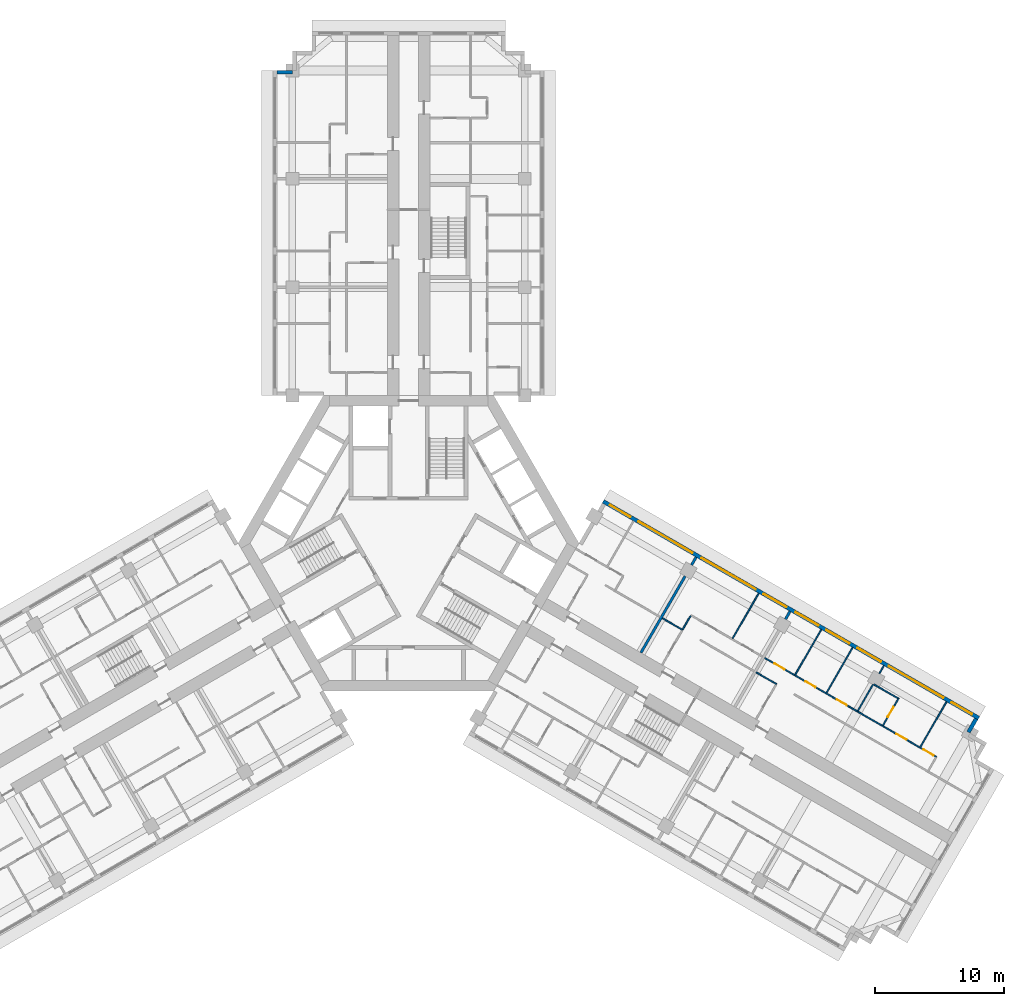
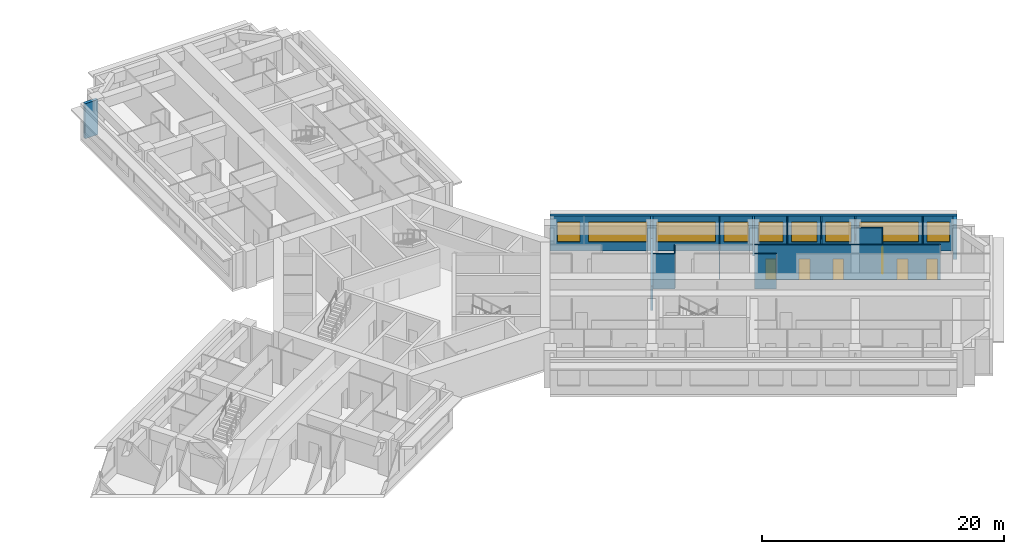
# One storey, part 12 of 14: 18 walls, 9 windows, 6 doors, 15 openings.
"""IFC4 building model written with IfcOpenShell, lengths in metres."""

import ifcopenshell
import ifcopenshell.guid

model = None  # the IFC model being written
_history = None  # IfcOwnerHistory: only IFC2X3 demands one
_inside = {}  # id of a spatial element -> (the spatial element, [elements in it])
_under = {}  # id of a project, library or spatial element -> (it, [spatial elements below it])
_declared = {}  # id of a project -> (the project, [libraries it declares])
_typed = {}  # id of a type object -> (the type object, [elements of that type])
_made_of = {}  # id of a material, layer set ... -> (it, [elements and type objects made of it])


def new_model(schema):
    """Start an empty IFC model of exactly this schema.

    Asked for "IFC4X3", IfcOpenShell would pick the latest addendum, in which some entities
    have other attributes; the version numbers below select the first issue.
    IFC2X3 requires an IfcOwnerHistory on every rooted entity: one is made here for all.
    """
    global model, _history
    if schema == "IFC4X3":
        model = ifcopenshell.file(schema_version=(4, 3, 0, 0))
    else:
        model = ifcopenshell.file(schema=schema)
    _inside.clear()
    _under.clear()
    _declared.clear()
    _typed.clear()
    _made_of.clear()
    _history = None
    if model.schema == "IFC2X3":
        org = make("IfcOrganization", Name="unknown")
        user = make(
            "IfcPersonAndOrganization",
            ThePerson=make("IfcPerson", FamilyName="unknown"),
            TheOrganization=org,
        )
        app = make(
            "IfcApplication",
            ApplicationDeveloper=org,
            Version="unknown",
            ApplicationFullName="unknown",
            ApplicationIdentifier="unknown",
        )
        _history = make(
            "IfcOwnerHistory",
            OwningUser=user,
            OwningApplication=app,
            ChangeAction="ADDED",
            CreationDate=0,
        )
    return model


def make(cls, **values):
    """One entity of the class cls with the attributes given. An attribute that is None is left unset."""
    return model.create_entity(
        cls, **{name: value for name, value in values.items() if value is not None}
    )


def rooted(cls, **values):
    """An entity with a GlobalId (a new one), such as an element, a storey or a relation."""
    return make(cls, GlobalId=ifcopenshell.guid.new(), OwnerHistory=_history, **values)


def si_unit(unit_type, name, prefix=None):
    """IfcSIUnit, for example si_unit("LENGTHUNIT", "METRE", prefix="MILLI")."""
    return make("IfcSIUnit", UnitType=unit_type, Prefix=prefix, Name=name)


def assignment(units):
    """IfcUnitAssignment: the units of a project."""
    return None if units is None else make("IfcUnitAssignment", Units=units)


def point(xyz):
    """IfcCartesianPoint."""
    return None if xyz is None else make("IfcCartesianPoint", Coordinates=xyz)


def direction(xyz):
    """IfcDirection."""
    return None if xyz is None else make("IfcDirection", DirectionRatios=xyz)


def frame(location, z_axis=None, x_axis=None):
    """IfcAxis2Placement3D, a coordinate frame: its origin and axes. An axis left out is left unset."""
    return make(
        "IfcAxis2Placement3D",
        Location=point(location),
        Axis=direction(z_axis),
        RefDirection=direction(x_axis),
    )


def frame_2d(location, x_axis=None):
    """IfcAxis2Placement2D, a coordinate frame in the plane: its origin and x axis."""
    return make(
        "IfcAxis2Placement2D", Location=point(location), RefDirection=direction(x_axis)
    )


def origin():
    """The frame at (0, 0, 0) with its axes left unset."""
    return frame((0.0, 0.0, 0.0))


def place(relative_to, where):
    """IfcLocalPlacement: puts the frame where relative to a parent placement (None: the world)."""
    return make(
        "IfcLocalPlacement", PlacementRelTo=relative_to, RelativePlacement=where
    )


def context(
    kind, dimensions, precision=None, world=None, true_north=None, identifier=None
):
    """IfcGeometricRepresentationContext, for example the 3D "Model" context."""
    return make(
        "IfcGeometricRepresentationContext",
        ContextIdentifier=identifier,
        ContextType=kind,
        CoordinateSpaceDimension=dimensions,
        Precision=precision,
        WorldCoordinateSystem=world,
        TrueNorth=true_north,
    )


def subcontext(parent, identifier, kind, view, scale=None):
    """IfcGeometricRepresentationSubContext, for example "Body" below "Model"."""
    return make(
        "IfcGeometricRepresentationSubContext",
        ContextIdentifier=identifier,
        ContextType=kind,
        ParentContext=parent,
        TargetScale=scale,
        TargetView=view,
    )


def project(units=None, contexts=None):
    """IfcProject with its units and contexts."""
    return rooted(
        "IfcProject",
        Name="project",
        RepresentationContexts=contexts,
        UnitsInContext=assignment(units),
    )


def spatial(cls, under=None, at=None, **own):
    """A site, building, storey or space (cls), placed at a placement, below another one or the project."""
    s = rooted(cls, ObjectPlacement=at, **own)
    if under is not None:
        _under.setdefault(under.id(), (under, []))[1].append(s)
    return s


def profile(cls, at=None, kind="AREA", **sizes):
    """A parametric profile (cls). Its sizes go by their IFC names, for example OverallWidth=200.0."""
    return make(cls, ProfileType=kind, Position=at, **sizes)


def rectangle(**sizes):
    """IfcRectangleProfileDef."""
    return profile("IfcRectangleProfileDef", **sizes)


def extrude(swept, where, along, depth):
    """IfcExtrudedAreaSolid: the profile swept, set in the frame where, extruded along a direction by depth."""
    return make(
        "IfcExtrudedAreaSolid",
        SweptArea=swept,
        Position=where,
        ExtrudedDirection=direction(along),
        Depth=depth,
    )


def shape(context_of_items, identifier, shape_type, items):
    """IfcShapeRepresentation: the items that make up one representation, for example the "Body"."""
    return make(
        "IfcShapeRepresentation",
        ContextOfItems=context_of_items,
        RepresentationIdentifier=identifier,
        RepresentationType=shape_type,
        Items=items,
    )


def material(Name=None, Category=None):
    """IfcMaterial."""
    return make("IfcMaterial", Name=Name, Category=Category)


def layer(
    of_material, thickness, ventilated=None, Name=None, Category=None, Priority=None
):
    """IfcMaterialLayer: one layer of a wall or slab, of a material (None: an air gap)."""
    return make(
        "IfcMaterialLayer",
        Material=of_material,
        LayerThickness=thickness,
        IsVentilated=ventilated,
        Name=Name,
        Category=Category,
        Priority=Priority,
    )


def layer_set(layers, Name=None):
    """IfcMaterialLayerSet."""
    return make("IfcMaterialLayerSet", MaterialLayers=layers, LayerSetName=Name)


def made_of(thing, what):
    """Note that an element or type object is made of a material, layer set ...; save() writes the relation."""
    if what is not None:
        _made_of.setdefault(what.id(), (what, []))[1].append(thing)
    return thing


def type_object(cls, material=None, **own):
    """A type object (cls), such as IfcWallType, which elements share."""
    return made_of(rooted(cls, **own), material)


def element(
    cls,
    number,
    at=None,
    inside=None,
    cuts=None,
    type_object=None,
    material=None,
    context=None,
    identifier="Body",
    shape_type=None,
    held_by="IfcProductDefinitionShape",
    body=None,
    shapes=None,
    **own,
):
    """One element of the class cls, such as IfcWall. Its Tag is "e" and its number.

    at: its placement. inside: the storey or other place that contains it. cuts: it is an
    opening in that element (IfcRelVoidsElement). A single representation is given by context,
    identifier, shape_type and body (its items); several are given by shapes. held_by: the class
    of the entity that holds the representations. save() writes the other relations.
    """
    e = rooted(cls, Tag="e%d" % number, ObjectPlacement=at, **own)
    if body is not None:
        shapes = [shape(context, identifier, shape_type, body)]
    if shapes is not None:
        e.Representation = make(held_by, Representations=shapes)
    if inside is not None:
        _inside.setdefault(inside.id(), (inside, []))[1].append(e)
    if cuts is not None:
        rooted(
            "IfcRelVoidsElement", RelatingBuildingElement=cuts, RelatedOpeningElement=e
        )
    if type_object is not None:
        _typed.setdefault(type_object.id(), (type_object, []))[1].append(e)
    return made_of(e, material)


def fill(opening, filler):
    """IfcRelFillsElement: the door or window that sits in an opening."""
    return rooted(
        "IfcRelFillsElement",
        RelatingOpeningElement=opening,
        RelatedBuildingElement=filler,
    )


def aggregate(whole, parts):
    """IfcRelAggregates: a whole, such as a stair, and the parts it consists of."""
    return rooted("IfcRelAggregates", RelatingObject=whole, RelatedObjects=parts)


def save(model, path):
    """Write the relations noted so far, then the file.

    IfcRelAggregates (storeys below a building ...), IfcRelContainedInSpatialStructure (elements
    in a storey), IfcRelDefinesByType, IfcRelAssociatesMaterial and IfcRelDeclares: one each for
    every whole, place, type object, material and project.
    """
    for whole, parts in _under.values():
        aggregate(whole, parts)
    for where, things in _inside.values():
        rooted(
            "IfcRelContainedInSpatialStructure",
            RelatedElements=things,
            RelatingStructure=where,
        )
    for kind, things in _typed.values():
        rooted("IfcRelDefinesByType", RelatedObjects=things, RelatingType=kind)
    for what, things in _made_of.values():
        rooted("IfcRelAssociatesMaterial", RelatedObjects=things, RelatingMaterial=what)
    for by, libraries in _declared.values():
        rooted("IfcRelDeclares", RelatingContext=by, RelatedDefinitions=libraries)
    model.write(path)


model = new_model("IFC4")

# Units and contexts
model_context = context("Model", 3, precision=1e-05, world=origin(), true_north=direction((0.0, 1.0)))
body_context = subcontext(model_context, "Body", "Model", "MODEL_VIEW")
ifc_project = project(units=[si_unit("LENGTHUNIT", "METRE"), si_unit("AREAUNIT", "SQUARE_METRE"), si_unit("VOLUMEUNIT", "CUBIC_METRE"), si_unit("PLANEANGLEUNIT", "RADIAN"), si_unit("MASSUNIT", "GRAM", prefix="KILO")], contexts=[model_context])

# Site, building, storey
site_placement = place(None, origin())
site = spatial("IfcSite", under=ifc_project, at=site_placement, CompositionType="ELEMENT")
building_placement = place(site_placement, origin())
building = spatial("IfcBuilding", under=site, at=building_placement, Name="Impinga Residences", CompositionType="ELEMENT")
storey_placement = place(building_placement, frame((0.0, 0.0, 124.75)))
storey = spatial("IfcBuildingStorey", under=building, at=storey_placement, Name="L30", CompositionType="ELEMENT", Elevation=124.75)

# Wall
ifc_material_1 = material(Name="Terracotta rainscreen on blockwork", Category="masonry")
ifc_layer_1 = layer(ifc_material_1, 0.300048828125)
ifc_layer_set_1 = layer_set([ifc_layer_1], Name="EW1 external wall, terracotta rainscreen on blockwork 300")
wall_type_1 = type_object("IfcWallType", Name="EW1 external wall, terracotta rainscreen on blockwork 300", PredefinedType="SOLIDWALL", material=ifc_layer_set_1)
wall_1_placement = place(storey_placement, frame((-10.199951171875, 36.4814453125, 0.0), z_axis=(0.0, 0.0, 1.0), x_axis=(1.0, 0.0, 0.0)))
element("IfcWall", 1, at=wall_1_placement, inside=storey, type_object=wall_type_1, Name="External wall EW1 L30", PredefinedType="SOLIDWALL", context=body_context, shape_type="SweptSolid", body=[
    extrude(rectangle(XDim=1.199951171875, YDim=0.300048828125, at=frame_2d((0.60009765625, 0.0))), origin(), (0.0, 0.0, 1.0), 3.530029296875),
])

# Wall, openings, windows
wall_2_placement = place(storey_placement, frame((15.074951171875, 3.24755859375, 0.0), z_axis=(0.0, 0.0, 1.0), x_axis=(0.866024291668, -0.500001926238, 0.0)))
wall_2 = element("IfcWall", 2, at=wall_2_placement, inside=storey, type_object=wall_type_1, Name="External wall EW1 L30", PredefinedType="SOLIDWALL", context=body_context, shape_type="SweptSolid", body=[
    extrude(rectangle(XDim=33.599853515625, YDim=0.300048828125, at=frame_2d((16.7998046875, 0.0))), origin(), (0.0, 0.0, 1.0), 3.530029296875),
])
opening_1_placement = place(wall_2_placement, frame((0.60009765625, 0.0, 0.89990234375)))
opening_1 = element("IfcOpeningElement", 3, at=opening_1_placement, cuts=wall_2, Name="Opening W15", PredefinedType="OPENING", context=body_context, shape_type="SweptSolid", body=[
    extrude(rectangle(XDim=1.85009765625, YDim=2.050048828125, at=frame_2d((0.925048828125, 1.02490234375))), frame((0.0, 0.159912109375, 0.0), z_axis=(0.0, -1.0, 0.0), x_axis=(1.0, 0.0, 0.0)), (0.0, 0.0, 1.0), 0.320068359375),
])
opening_2_placement = place(wall_2_placement, frame((3.14990234375, 0.0, 0.89990234375)))
opening_2 = element("IfcOpeningElement", 4, at=opening_2_placement, cuts=wall_2, Name="Opening W6", PredefinedType="OPENING", context=body_context, shape_type="SweptSolid", body=[
    extrude(rectangle(XDim=4.85009765625, YDim=2.050048828125, at=frame_2d((2.425048828125, 1.02490234375))), frame((0.0, 0.159912109375, 0.0), z_axis=(0.0, -1.0, 0.0), x_axis=(1.0, 0.0, 0.0)), (0.0, 0.0, 1.0), 0.320068359375),
])
opening_3_placement = place(wall_2_placement, frame((8.800048828125, 0.0, 0.89990234375)))
opening_3 = element("IfcOpeningElement", 5, at=opening_3_placement, cuts=wall_2, Name="Opening W6", PredefinedType="OPENING", context=body_context, shape_type="SweptSolid", body=[
    extrude(rectangle(XDim=4.85009765625, YDim=2.050048828125, at=frame_2d((2.425048828125, 1.02490234375))), frame((0.0, 0.159912109375, 0.0), z_axis=(0.0, -1.0, 0.0), x_axis=(1.0, 0.0, 0.0)), (0.0, 0.0, 1.0), 0.320068359375),
])
opening_4_placement = place(wall_2_placement, frame((14.35009765625, 0.0, 0.89990234375)))
opening_4 = element("IfcOpeningElement", 6, at=opening_4_placement, cuts=wall_2, Name="Opening W14", PredefinedType="OPENING", context=body_context, shape_type="SweptSolid", body=[
    extrude(rectangle(XDim=2.050048828125, YDim=2.050048828125, at=frame_2d((1.02490234375, 1.02490234375))), frame((0.0, 0.159912109375, 0.0), z_axis=(0.0, -1.0, 0.0), x_axis=(1.0, 0.0, 0.0)), (0.0, 0.0, 1.0), 0.320068359375),
])
opening_5_placement = place(wall_2_placement, frame((17.199951171875, 0.0, 0.89990234375)))
opening_5 = element("IfcOpeningElement", 7, at=opening_5_placement, cuts=wall_2, Name="Opening W14", PredefinedType="OPENING", context=body_context, shape_type="SweptSolid", body=[
    extrude(rectangle(XDim=2.050048828125, YDim=2.050048828125, at=frame_2d((1.02490234375, 1.02490234375))), frame((0.0, 0.159912109375, 0.0), z_axis=(0.0, -1.0, 0.0), x_axis=(1.0, 0.0, 0.0)), (0.0, 0.0, 1.0), 0.320068359375),
])
opening_6_placement = place(wall_2_placement, frame((19.949951171875, 0.0, 0.89990234375)))
opening_6 = element("IfcOpeningElement", 8, at=opening_6_placement, cuts=wall_2, Name="Opening W9", PredefinedType="OPENING", context=body_context, shape_type="SweptSolid", body=[
    extrude(rectangle(XDim=2.10009765625, YDim=2.050048828125, at=frame_2d((1.050048828125, 1.02490234375))), frame((0.0, 0.159912109375, 0.0), z_axis=(0.0, -1.0, 0.0), x_axis=(1.0, 0.0, 0.0)), (0.0, 0.0, 1.0), 0.320068359375),
])
opening_7_placement = place(wall_2_placement, frame((22.75, 0.0, 0.89990234375)))
opening_7 = element("IfcOpeningElement", 9, at=opening_7_placement, cuts=wall_2, Name="Opening W9", PredefinedType="OPENING", context=body_context, shape_type="SweptSolid", body=[
    extrude(rectangle(XDim=2.10009765625, YDim=2.050048828125, at=frame_2d((1.050048828125, 1.02490234375))), frame((0.0, 0.159912109375, 0.0), z_axis=(0.0, -1.0, 0.0), x_axis=(1.0, 0.0, 0.0)), (0.0, 0.0, 1.0), 0.320068359375),
])
opening_8_placement = place(wall_2_placement, frame((25.550048828125, 0.0, 0.89990234375)))
opening_8 = element("IfcOpeningElement", 10, at=opening_8_placement, cuts=wall_2, Name="Opening W16", PredefinedType="OPENING", context=body_context, shape_type="SweptSolid", body=[
    extrude(rectangle(XDim=4.89990234375, YDim=2.050048828125, at=frame_2d((2.449951171875, 1.02490234375))), frame((0.0, 0.159912109375, 0.0), z_axis=(0.0, -1.0, 0.0), x_axis=(1.0, 0.0, 0.0)), (0.0, 0.0, 1.0), 0.320068359375),
])
opening_9_placement = place(wall_2_placement, frame((31.14990234375, 0.0, 0.89990234375)))
opening_9 = element("IfcOpeningElement", 11, at=opening_9_placement, cuts=wall_2, Name="Opening W15", PredefinedType="OPENING", context=body_context, shape_type="SweptSolid", body=[
    extrude(rectangle(XDim=1.85009765625, YDim=2.050048828125, at=frame_2d((0.925048828125, 1.02490234375))), frame((0.0, 0.159912109375, 0.0), z_axis=(0.0, -1.0, 0.0), x_axis=(1.0, 0.0, 0.0)), (0.0, 0.0, 1.0), 0.320068359375),
])
ifc_material_2 = material(Name="Aluminium window, clear double glazing", Category="aluminium")
window_type_1 = type_object("IfcWindowType", Name="W14 ribbon window 2050x2050", PartitioningType="SINGLE_PANEL", PredefinedType="WINDOW", material=ifc_material_2)
window_1_placement = place(opening_4_placement, origin())
window_1 = element("IfcWindow", 12, at=window_1_placement, inside=storey, type_object=window_type_1, Name="Window L30", OverallHeight=2.050048828125, OverallWidth=2.050048828125, PartitioningType="SINGLE_PANEL", PredefinedType="WINDOW", context=body_context, shape_type="SweptSolid", body=[
    extrude(rectangle(XDim=2.050048828125, YDim=2.050048828125, at=frame_2d((1.02490234375, 1.02490234375))), frame((0.0, 0.030029296875, 0.0), z_axis=(0.0, -1.0, 0.0), x_axis=(1.0, 0.0, 0.0)), (0.0, 0.0, 1.0), 0.06005859375),
])
fill(opening_4, window_1)
window_2_placement = place(opening_5_placement, origin())
window_2 = element("IfcWindow", 13, at=window_2_placement, inside=storey, type_object=window_type_1, Name="Window L30", OverallHeight=2.050048828125, OverallWidth=2.050048828125, PartitioningType="SINGLE_PANEL", PredefinedType="WINDOW", context=body_context, shape_type="SweptSolid", body=[
    extrude(rectangle(XDim=2.050048828125, YDim=2.050048828125, at=frame_2d((1.02490234375, 1.02490234375))), frame((0.0, 0.030029296875, 0.0), z_axis=(0.0, -1.0, 0.0), x_axis=(1.0, 0.0, 0.0)), (0.0, 0.0, 1.0), 0.06005859375),
])
fill(opening_5, window_2)
window_type_2 = type_object("IfcWindowType", Name="W15 ribbon window 1850x2050", PartitioningType="SINGLE_PANEL", PredefinedType="WINDOW", material=ifc_material_2)
window_3_placement = place(opening_1_placement, origin())
window_3 = element("IfcWindow", 14, at=window_3_placement, inside=storey, type_object=window_type_2, Name="Window L30", OverallHeight=2.050048828125, OverallWidth=1.85009765625, PartitioningType="SINGLE_PANEL", PredefinedType="WINDOW", context=body_context, shape_type="SweptSolid", body=[
    extrude(rectangle(XDim=1.85009765625, YDim=2.050048828125, at=frame_2d((0.925048828125, 1.02490234375))), frame((0.0, 0.030029296875, 0.0), z_axis=(0.0, -1.0, 0.0), x_axis=(1.0, 0.0, 0.0)), (0.0, 0.0, 1.0), 0.06005859375),
])
fill(opening_1, window_3)
window_4_placement = place(opening_9_placement, origin())
window_4 = element("IfcWindow", 15, at=window_4_placement, inside=storey, type_object=window_type_2, Name="Window L30", OverallHeight=2.050048828125, OverallWidth=1.85009765625, PartitioningType="SINGLE_PANEL", PredefinedType="WINDOW", context=body_context, shape_type="SweptSolid", body=[
    extrude(rectangle(XDim=1.85009765625, YDim=2.050048828125, at=frame_2d((0.925048828125, 1.02490234375))), frame((0.0, 0.030029296875, 0.0), z_axis=(0.0, -1.0, 0.0), x_axis=(1.0, 0.0, 0.0)), (0.0, 0.0, 1.0), 0.06005859375),
])
fill(opening_9, window_4)
window_type_3 = type_object("IfcWindowType", Name="W16 ribbon window 4900x2050", PartitioningType="SINGLE_PANEL", PredefinedType="WINDOW", material=ifc_material_2)
window_5_placement = place(opening_8_placement, origin())
window_5 = element("IfcWindow", 16, at=window_5_placement, inside=storey, type_object=window_type_3, Name="Window L30", OverallHeight=2.050048828125, OverallWidth=4.89990234375, PartitioningType="SINGLE_PANEL", PredefinedType="WINDOW", context=body_context, shape_type="SweptSolid", body=[
    extrude(rectangle(XDim=4.89990234375, YDim=2.050048828125, at=frame_2d((2.449951171875, 1.02490234375))), frame((0.0, 0.030029296875, 0.0), z_axis=(0.0, -1.0, 0.0), x_axis=(1.0, 0.0, 0.0)), (0.0, 0.0, 1.0), 0.06005859375),
])
fill(opening_8, window_5)
window_type_4 = type_object("IfcWindowType", Name="W6 ribbon window 4850x2050", PartitioningType="SINGLE_PANEL", PredefinedType="WINDOW", material=ifc_material_2)
window_6_placement = place(opening_2_placement, origin())
window_6 = element("IfcWindow", 17, at=window_6_placement, inside=storey, type_object=window_type_4, Name="Window L30", OverallHeight=2.050048828125, OverallWidth=4.85009765625, PartitioningType="SINGLE_PANEL", PredefinedType="WINDOW", context=body_context, shape_type="SweptSolid", body=[
    extrude(rectangle(XDim=4.85009765625, YDim=2.050048828125, at=frame_2d((2.425048828125, 1.02490234375))), frame((0.0, 0.030029296875, 0.0), z_axis=(0.0, -1.0, 0.0), x_axis=(1.0, 0.0, 0.0)), (0.0, 0.0, 1.0), 0.06005859375),
])
fill(opening_2, window_6)
window_7_placement = place(opening_3_placement, origin())
window_7 = element("IfcWindow", 18, at=window_7_placement, inside=storey, type_object=window_type_4, Name="Window L30", OverallHeight=2.050048828125, OverallWidth=4.85009765625, PartitioningType="SINGLE_PANEL", PredefinedType="WINDOW", context=body_context, shape_type="SweptSolid", body=[
    extrude(rectangle(XDim=4.85009765625, YDim=2.050048828125, at=frame_2d((2.425048828125, 1.02490234375))), frame((0.0, 0.030029296875, 0.0), z_axis=(0.0, -1.0, 0.0), x_axis=(1.0, 0.0, 0.0)), (0.0, 0.0, 1.0), 0.06005859375),
])
fill(opening_3, window_7)
window_type_5 = type_object("IfcWindowType", Name="W9 ribbon window 2100x2050", PartitioningType="SINGLE_PANEL", PredefinedType="WINDOW", material=ifc_material_2)
window_8_placement = place(opening_6_placement, origin())
window_8 = element("IfcWindow", 19, at=window_8_placement, inside=storey, type_object=window_type_5, Name="Window L30", OverallHeight=2.050048828125, OverallWidth=2.10009765625, PartitioningType="SINGLE_PANEL", PredefinedType="WINDOW", context=body_context, shape_type="SweptSolid", body=[
    extrude(rectangle(XDim=2.10009765625, YDim=2.050048828125, at=frame_2d((1.050048828125, 1.02490234375))), frame((0.0, 0.030029296875, 0.0), z_axis=(0.0, -1.0, 0.0), x_axis=(1.0, 0.0, 0.0)), (0.0, 0.0, 1.0), 0.06005859375),
])
fill(opening_6, window_8)
window_9_placement = place(opening_7_placement, origin())
window_9 = element("IfcWindow", 20, at=window_9_placement, inside=storey, type_object=window_type_5, Name="Window L30", OverallHeight=2.050048828125, OverallWidth=2.10009765625, PartitioningType="SINGLE_PANEL", PredefinedType="WINDOW", context=body_context, shape_type="SweptSolid", body=[
    extrude(rectangle(XDim=2.10009765625, YDim=2.050048828125, at=frame_2d((1.050048828125, 1.02490234375))), frame((0.0, 0.030029296875, 0.0), z_axis=(0.0, -1.0, 0.0), x_axis=(1.0, 0.0, 0.0)), (0.0, 0.0, 1.0), 0.06005859375),
])
fill(opening_7, window_9)

# Walls
wall_3_placement = place(storey_placement, frame((43.968505859375, -13.607421875, 0.0), z_axis=(0.0, 0.0, 1.0), x_axis=(-0.500029051137, -0.866008630453, 0.0)))
element("IfcWall", 21, at=wall_3_placement, inside=storey, type_object=wall_type_1, Name="External wall EW1 L30", PredefinedType="SOLIDWALL", context=body_context, shape_type="SweptSolid", body=[
    extrude(rectangle(XDim=1.19482421875, YDim=0.300048828125, at=frame_2d((0.597412109375, 0.0))), origin(), (0.0, 0.0, 1.0), 3.530029296875),
])
ifc_material_3 = material(Name="Gypsum board on steel studs", Category="steel")
ifc_layer_2 = layer(ifc_material_3, 0.10009765625)
ifc_layer_set_2 = layer_set([ifc_layer_2], Name="Gypsum board on steel studs")
wall_type_2 = type_object("IfcWallType", Name="IP1 partition 100", PredefinedType="PARTITIONING", material=ifc_layer_set_2)
wall_4_placement = place(storey_placement, frame((19.6611328125, -5.808837890625, 0.0), z_axis=(0.0, 0.0, 1.0), x_axis=(0.866047807691, -0.499961193289, 0.0)))
element("IfcWall", 22, at=wall_4_placement, inside=storey, type_object=wall_type_2, Name="Partition L30-EA2:DIV0", PredefinedType="PARTITIONING", context=body_context, shape_type="SweptSolid", body=[
    extrude(rectangle(XDim=1.800048828125, YDim=0.10009765625, at=frame_2d((0.89990234375, 0.0))), origin(), (0.0, 0.0, 1.0), 3.530029296875),
])
wall_5_placement = place(storey_placement, frame((21.2451171875, -6.66552734375, 0.0), z_axis=(0.0, 0.0, 1.0), x_axis=(0.499880961361, 0.866094119867, 0.0)))
element("IfcWall", 23, at=wall_5_placement, inside=storey, type_object=wall_type_2, Name="Partition L30-EA2:SE0", PredefinedType="PARTITIONING", context=body_context, shape_type="SweptSolid", body=[
    extrude(rectangle(XDim=1.199951171875, YDim=0.10009765625, at=frame_2d((0.60009765625, 0.0))), origin(), (0.0, 0.0, 1.0), 3.530029296875),
])
wall_6_placement = place(storey_placement, frame((25.099365234375, -7.3896484375, 0.0), z_axis=(0.0, 0.0, 1.0), x_axis=(0.499990325971, 0.866030989016, 0.0)))
element("IfcWall", 24, at=wall_6_placement, inside=storey, type_object=wall_type_2, Name="Partition L30-EA2:OB1", PredefinedType="PARTITIONING", context=body_context, shape_type="SweptSolid", body=[
    extrude(rectangle(XDim=4.0498046875, YDim=0.10009765625, at=frame_2d((2.02490234375, 0.0))), origin(), (0.0, 0.0, 1.0), 3.530029296875),
])
wall_7_placement = place(storey_placement, frame((26.935791015625, -10.0087890625, 0.0), z_axis=(0.0, 0.0, 1.0), x_axis=(0.865989075817, -0.500062916607, 0.0)))
element("IfcWall", 25, at=wall_7_placement, inside=storey, type_object=wall_type_2, Name="Partition L30-EA3:DIV0", PredefinedType="PARTITIONING", context=body_context, shape_type="SweptSolid", body=[
    extrude(rectangle(XDim=1.800048828125, YDim=0.10009765625, at=frame_2d((0.89990234375, 0.0))), origin(), (0.0, 0.0, 1.0), 3.530029296875),
])

# Wall, openings, doors
wall_8_placement = place(storey_placement, frame((27.5859375, -8.883056640625, 0.0), z_axis=(0.0, 0.0, 1.0), x_axis=(0.866023490266, -0.500003314297, 0.0)))
wall_8 = element("IfcWall", 26, at=wall_8_placement, inside=storey, type_object=wall_type_2, Name="Partition L30-EA3:STRIP", PredefinedType="PARTITIONING", context=body_context, shape_type="SweptSolid", body=[
    extrude(rectangle(XDim=15.35009765625, YDim=0.10009765625, at=frame_2d((7.675048828125, 0.0))), origin(), (0.0, 0.0, 1.0), 3.530029296875),
])
opening_10_placement = place(wall_8_placement, frame((0.875, 0.0, 0.0)))
opening_10 = element("IfcOpeningElement", 27, at=opening_10_placement, cuts=wall_8, Name="Opening D2", PredefinedType="OPENING", context=body_context, shape_type="SweptSolid", body=[
    extrude(rectangle(XDim=0.89990234375, YDim=2.10009765625, at=frame_2d((0.449951171875, 1.050048828125))), frame((0.0, 0.06005859375, 0.0), z_axis=(0.0, -1.0, 0.0), x_axis=(1.0, 0.0, 0.0)), (0.0, 0.0, 1.0), 0.1201171875),
])
opening_11_placement = place(wall_8_placement, frame((3.64990234375, 0.0, 0.0)))
opening_11 = element("IfcOpeningElement", 28, at=opening_11_placement, cuts=wall_8, Name="Opening D2", PredefinedType="OPENING", context=body_context, shape_type="SweptSolid", body=[
    extrude(rectangle(XDim=0.89990234375, YDim=2.10009765625, at=frame_2d((0.449951171875, 1.050048828125))), frame((0.0, 0.06005859375, 0.0), z_axis=(0.0, -1.0, 0.0), x_axis=(1.0, 0.0, 0.0)), (0.0, 0.0, 1.0), 0.1201171875),
])
opening_12_placement = place(wall_8_placement, frame((6.449951171875, 0.0, 0.0)))
opening_12 = element("IfcOpeningElement", 29, at=opening_12_placement, cuts=wall_8, Name="Opening D2", PredefinedType="OPENING", context=body_context, shape_type="SweptSolid", body=[
    extrude(rectangle(XDim=0.89990234375, YDim=2.10009765625, at=frame_2d((0.449951171875, 1.050048828125))), frame((0.0, 0.06005859375, 0.0), z_axis=(0.0, -1.0, 0.0), x_axis=(1.0, 0.0, 0.0)), (0.0, 0.0, 1.0), 0.1201171875),
])
opening_13_placement = place(wall_8_placement, frame((11.77490234375, 0.0, 0.0)))
opening_13 = element("IfcOpeningElement", 30, at=opening_13_placement, cuts=wall_8, Name="Opening D2", PredefinedType="OPENING", context=body_context, shape_type="SweptSolid", body=[
    extrude(rectangle(XDim=0.89990234375, YDim=2.10009765625, at=frame_2d((0.449951171875, 1.050048828125))), frame((0.0, 0.06005859375, 0.0), z_axis=(0.0, -1.0, 0.0), x_axis=(1.0, 0.0, 0.0)), (0.0, 0.0, 1.0), 0.1201171875),
])
opening_14_placement = place(wall_8_placement, frame((14.199951171875, 0.0, 0.0)))
opening_14 = element("IfcOpeningElement", 31, at=opening_14_placement, cuts=wall_8, Name="Opening D2", PredefinedType="OPENING", context=body_context, shape_type="SweptSolid", body=[
    extrude(rectangle(XDim=0.89990234375, YDim=2.10009765625, at=frame_2d((0.449951171875, 1.050048828125))), frame((0.0, 0.06005859375, 0.0), z_axis=(0.0, -1.0, 0.0), x_axis=(1.0, 0.0, 0.0)), (0.0, 0.0, 1.0), 0.1201171875),
])
ifc_material_4 = material(Name="Timber door set", Category="wood")
door_type = type_object("IfcDoorType", Name="D2 internal door 900x2100", OperationType="SINGLE_SWING_LEFT", PredefinedType="DOOR", material=ifc_material_4)
door_1_placement = place(opening_10_placement, origin())
door_1 = element("IfcDoor", 32, at=door_1_placement, inside=storey, type_object=door_type, Name="Apartment L30-EA3 room door", OperationType="SINGLE_SWING_LEFT", OverallHeight=2.10009765625, OverallWidth=0.89990234375, PredefinedType="DOOR", context=body_context, shape_type="SweptSolid", body=[
    extrude(rectangle(XDim=0.89990234375, YDim=2.10009765625, at=frame_2d((0.449951171875, 1.050048828125))), frame((0.0, 0.02490234375, 0.0), z_axis=(0.0, -1.0, 0.0), x_axis=(1.0, 0.0, 0.0)), (0.0, 0.0, 1.0), 0.050048828125),
])
fill(opening_10, door_1)
door_2_placement = place(opening_11_placement, origin())
door_2 = element("IfcDoor", 33, at=door_2_placement, inside=storey, type_object=door_type, Name="Apartment L30-EA3 room door", OperationType="SINGLE_SWING_LEFT", OverallHeight=2.10009765625, OverallWidth=0.89990234375, PredefinedType="DOOR", context=body_context, shape_type="SweptSolid", body=[
    extrude(rectangle(XDim=0.89990234375, YDim=2.10009765625, at=frame_2d((0.449951171875, 1.050048828125))), frame((0.0, 0.02490234375, 0.0), z_axis=(0.0, -1.0, 0.0), x_axis=(1.0, 0.0, 0.0)), (0.0, 0.0, 1.0), 0.050048828125),
])
fill(opening_11, door_2)
door_3_placement = place(opening_12_placement, origin())
door_3 = element("IfcDoor", 34, at=door_3_placement, inside=storey, type_object=door_type, Name="Apartment L30-EA3 room door", OperationType="SINGLE_SWING_LEFT", OverallHeight=2.10009765625, OverallWidth=0.89990234375, PredefinedType="DOOR", context=body_context, shape_type="SweptSolid", body=[
    extrude(rectangle(XDim=0.89990234375, YDim=2.10009765625, at=frame_2d((0.449951171875, 1.050048828125))), frame((0.0, 0.02490234375, 0.0), z_axis=(0.0, -1.0, 0.0), x_axis=(1.0, 0.0, 0.0)), (0.0, 0.0, 1.0), 0.050048828125),
])
fill(opening_12, door_3)
door_4_placement = place(opening_13_placement, origin())
door_4 = element("IfcDoor", 35, at=door_4_placement, inside=storey, type_object=door_type, Name="Apartment L30-EA3 room door", OperationType="SINGLE_SWING_RIGHT", OverallHeight=2.10009765625, OverallWidth=0.89990234375, PredefinedType="DOOR", context=body_context, shape_type="SweptSolid", body=[
    extrude(rectangle(XDim=0.89990234375, YDim=2.10009765625, at=frame_2d((0.449951171875, 1.050048828125))), frame((0.0, 0.02490234375, 0.0), z_axis=(0.0, -1.0, 0.0), x_axis=(1.0, 0.0, 0.0)), (0.0, 0.0, 1.0), 0.050048828125),
])
fill(opening_13, door_4)
door_5_placement = place(opening_14_placement, origin())
door_5 = element("IfcDoor", 36, at=door_5_placement, inside=storey, type_object=door_type, Name="Apartment L30-EA3 room door", OperationType="SINGLE_SWING_RIGHT", OverallHeight=2.10009765625, OverallWidth=0.89990234375, PredefinedType="DOOR", context=body_context, shape_type="SweptSolid", body=[
    extrude(rectangle(XDim=0.89990234375, YDim=2.10009765625, at=frame_2d((0.449951171875, 1.050048828125))), frame((0.0, 0.02490234375, 0.0), z_axis=(0.0, -1.0, 0.0), x_axis=(1.0, 0.0, 0.0)), (0.0, 0.0, 1.0), 0.050048828125),
])
fill(opening_14, door_5)

# Walls
for number, where, z_axis, x_axis, name in (
    (37, (29.94921875, -10.189697265625, 0.0), (0.0, 0.0, 1.0), (0.499990325971, 0.866030989016, 0.0), "Partition L30-EA3:OB1"),
    (38, (32.3740234375, -11.589599609375, 0.0), (0.0, 0.0, 1.0), (0.499990325971, 0.866030989016, 0.0), "Partition L30-EA3:OB2"),
):
    element("IfcWall", number, at=place(storey_placement, frame(where, z_axis=z_axis, x_axis=x_axis)), inside=storey, type_object=wall_type_2, Name=name, PredefinedType="PARTITIONING", context=body_context, shape_type="SweptSolid", body=[
        extrude(rectangle(XDim=4.0498046875, YDim=0.10009765625, at=frame_2d((2.02490234375, 0.0))), origin(), (0.0, 0.0, 1.0), 3.530029296875),
    ])
wall_9_placement = place(storey_placement, frame((34.798828125, -12.98974609375, 0.0), z_axis=(0.0, 0.0, 1.0), x_axis=(0.500016218704, 0.866016039709, 0.0)))
element("IfcWall", 39, at=wall_9_placement, inside=storey, type_object=wall_type_2, Name="Partition L30-EA3:OB3", PredefinedType="PARTITIONING", context=body_context, shape_type="SweptSolid", body=[
    extrude(rectangle(XDim=2.35009765625, YDim=0.10009765625, at=frame_2d((1.175048828125, 0.0))), origin(), (0.0, 0.0, 1.0), 2.47998046875),
])
wall_10_placement = place(storey_placement, frame((36.473876953125, -10.088623046875, 0.0), z_axis=(0.0, 0.0, 1.0), x_axis=(0.499853302173, 0.866110083249, 0.0)))
element("IfcWall", 40, at=wall_10_placement, inside=storey, type_object=wall_type_2, Name="Partition L30-EA3:OB3b", PredefinedType="PARTITIONING", context=body_context, shape_type="SweptSolid", body=[
    extrude(rectangle(XDim=0.699951171875, YDim=0.10009765625, at=frame_2d((0.35009765625, 0.0))), origin(), (0.0, 0.0, 1.0), 3.530029296875),
])
wall_11_placement = place(storey_placement, frame((39.648681640625, -15.789794921875, 0.0), z_axis=(0.0, 0.0, 1.0), x_axis=(0.499964223975, 0.866046058097, 0.0)))
element("IfcWall", 41, at=wall_11_placement, inside=storey, type_object=wall_type_2, Name="Partition L30-EA3:OB4", PredefinedType="PARTITIONING", context=body_context, shape_type="SweptSolid", body=[
    extrude(rectangle(XDim=4.050048828125, YDim=0.10009765625, at=frame_2d((2.02490234375, 0.0))), origin(), (0.0, 0.0, 1.0), 3.530029296875),
])

# Wall, opening, door
wall_12_placement = place(storey_placement, frame((36.747314453125, -14.11474609375, 0.0), z_axis=(0.0, 0.0, 1.0), x_axis=(0.500018594424, 0.866014668023, 0.0)))
wall_12 = element("IfcWall", 42, at=wall_12_placement, inside=storey, type_object=wall_type_2, Name="Partition L30-EA3:EN1", PredefinedType="PARTITIONING", context=body_context, shape_type="SweptSolid", body=[
    extrude(rectangle(XDim=2.4501953125, YDim=0.10009765625, at=frame_2d((1.22509765625, 0.0))), origin(), (0.0, 0.0, 1.0), 3.530029296875),
])
opening_15_placement = place(wall_12_placement, frame((0.75, 0.0, 0.0)))
opening_15 = element("IfcOpeningElement", 43, at=opening_15_placement, cuts=wall_12, Name="Opening D2", PredefinedType="OPENING", context=body_context, shape_type="SweptSolid", body=[
    extrude(rectangle(XDim=0.89990234375, YDim=2.10009765625, at=frame_2d((0.449951171875, 1.050048828125))), frame((0.0, 0.06005859375, 0.0), z_axis=(0.0, -1.0, 0.0), x_axis=(1.0, 0.0, 0.0)), (0.0, 0.0, 1.0), 0.1201171875),
])
door_6_placement = place(opening_15_placement, origin())
door_6 = element("IfcDoor", 44, at=door_6_placement, inside=storey, type_object=door_type, Name="Apartment L30-EA3 en-suite door", OperationType="SINGLE_SWING_LEFT", OverallHeight=2.10009765625, OverallWidth=0.89990234375, PredefinedType="DOOR", context=body_context, shape_type="SweptSolid", body=[
    extrude(rectangle(XDim=0.89990234375, YDim=2.10009765625, at=frame_2d((0.449951171875, 1.050048828125))), frame((0.0, 0.02490234375, 0.0), z_axis=(0.0, -1.0, 0.0), x_axis=(1.0, 0.0, 0.0)), (0.0, 0.0, 1.0), 0.050048828125),
])
fill(opening_15, door_6)

# Walls
wall_13_placement = place(storey_placement, frame((36.042236328125, -10.936279296875, 0.0), z_axis=(0.0, 0.0, 1.0), x_axis=(0.866019166195, -0.500010803666, 0.0)))
element("IfcWall", 45, at=wall_13_placement, inside=storey, type_object=wall_type_2, Name="Partition L30-EA3:EN2", PredefinedType="PARTITIONING", context=body_context, shape_type="SweptSolid", body=[
    extrude(rectangle(XDim=2.14990234375, YDim=0.10009765625, at=frame_2d((1.074951171875, 0.0))), origin(), (0.0, 0.0, 1.0), 3.530029296875),
])
ifc_material_5 = material(Name="Concrete blockwork", Category="masonry")
ifc_layer_3 = layer(ifc_material_5, 0.199951171875)
ifc_layer_set_3 = layer_set([ifc_layer_3], Name="PW1 party wall between apartments 200")
wall_type_3 = type_object("IfcWallType", Name="PW1 party wall between apartments 200", PredefinedType="SOLIDWALL", material=ifc_layer_set_3)
wall_14_placement = place(storey_placement, frame((17.99951171875, -8.48681640625, 0.0), z_axis=(0.0, 0.0, 1.0), x_axis=(0.499999086063, 0.866025931445, 0.0)))
element("IfcWall", 46, at=wall_14_placement, inside=storey, type_object=wall_type_3, Name="Party wall between apartments L30-EA1:PARTY", PredefinedType="SOLIDWALL", context=body_context, shape_type="SweptSolid", body=[
    extrude(rectangle(XDim=6.85009765625, YDim=0.199951171875, at=frame_2d((3.425048828125, 0.0))), origin(), (0.0, 0.0, 1.0), 2.47998046875),
])
for number, where, z_axis, x_axis, name in (
    (47, (21.924560546875, -1.6884765625, 0.0), (0.0, 0.0, 1.0), (0.500114896893, 0.865959057869, 0.0), "Party wall between apartments L30-EA1:PARTYb"),
    (48, (29.19921875, -5.888427734375, 0.0), (0.0, 0.0, 1.0), (0.500114896893, 0.865959057869, 0.0), "Party wall between apartments L30-EA2:PARTYb"),
):
    element("IfcWall", number, at=place(storey_placement, frame(where, z_axis=z_axis, x_axis=x_axis)), inside=storey, type_object=wall_type_3, Name=name, PredefinedType="SOLIDWALL", context=body_context, shape_type="SweptSolid", body=[
        extrude(rectangle(XDim=0.699951171875, YDim=0.199951171875, at=frame_2d((0.35009765625, 0.0))), origin(), (0.0, 0.0, 1.0), 3.530029296875),
    ])

save(model, "model.ifc")
